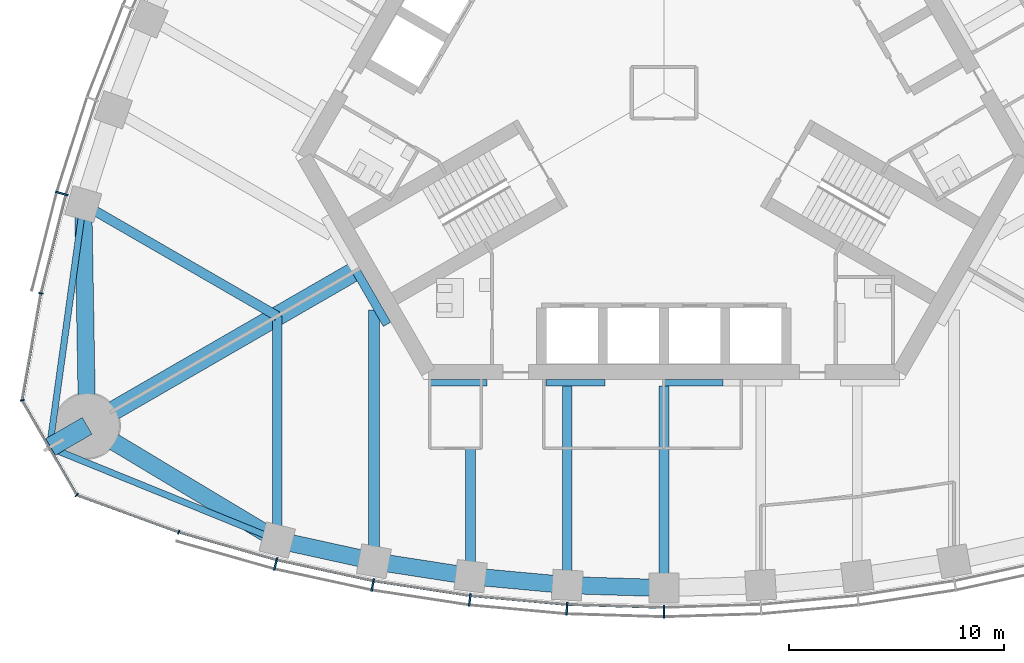
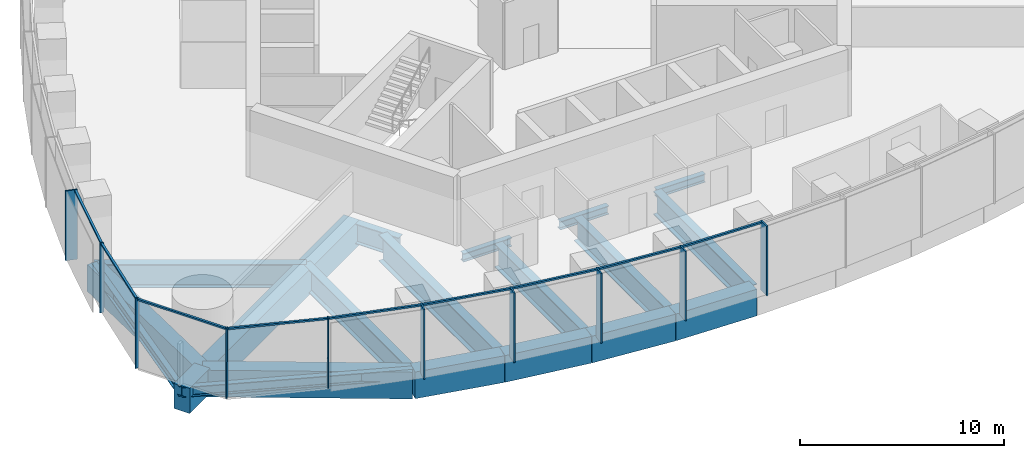
# One storey, part 2 of 14: 20 beams, 19 members, 3 elements without a shape of their own.
"""IFC4 building model written with IfcOpenShell, lengths in metres."""

from ifc_helpers import new_model, si_unit, direction, frame, origin, origin_2d, place, context, subcontext, project, spatial, rectangle, i_section, extrude, material, material_profile, profile_set, type_object, element, aggregate, save


model = new_model("IFC4")

# Units and contexts
model_context = context("Model", 3, precision=1e-05, world=origin(), true_north=direction((0.0, 1.0)))
body_context = subcontext(model_context, "Body", "Model", "MODEL_VIEW")
ifc_project = project(units=[si_unit("LENGTHUNIT", "METRE"), si_unit("AREAUNIT", "SQUARE_METRE"), si_unit("VOLUMEUNIT", "CUBIC_METRE"), si_unit("PLANEANGLEUNIT", "RADIAN"), si_unit("MASSUNIT", "GRAM", prefix="KILO")], contexts=[model_context])

# Site, building, storey
site_placement = place(None, origin())
site = spatial("IfcSite", under=ifc_project, at=site_placement, CompositionType="ELEMENT")
building_placement = place(site_placement, origin())
building = spatial("IfcBuilding", under=site, at=building_placement, Name="Trefoil Bronze Tower", CompositionType="ELEMENT")
storey_placement = place(building_placement, frame((0.0, 0.0, 280.5)))
storey = spatial("IfcBuildingStorey", under=building, at=storey_placement, Name="L64", CompositionType="ELEMENT", Elevation=280.5)

# Curtain wall, members
ifc_material_1 = material(Name="Tinted solar-control glass", Category="glass")
curtain_wall_type_1 = type_object("IfcCurtainWallType", Name="Bronze office curtain wall", PredefinedType="USERDEFINED", material=ifc_material_1)
curtain_wall_1_placement = place(storey_placement, origin())
curtain_wall_1 = element("IfcCurtainWall", 1, at=curtain_wall_1_placement, inside=storey, type_object=curtain_wall_type_1, Name="CW-A L64 F1", ObjectType="CURTAIN WALL", PredefinedType="USERDEFINED")
ifc_material_2 = material(Name="Bronze-finish aluminium", Category="aluminium")
ifc_material_profile_1 = material_profile(ifc_material_2, rectangle(XDim=0.60009765625, YDim=0.080078125, at=origin_2d()), Name="CW-A mullion")
ifc_profile_set_1 = profile_set([ifc_material_profile_1], Name="Bronze-finish aluminium")
member_type_1 = type_object("IfcMemberType", Name="Bronze office curtain wall mullion", PredefinedType="MULLION", material=ifc_profile_set_1)
member_1_placement = place(storey_placement, frame((-18.07275390625, -21.931884765625, 0.0), z_axis=(0.0, 0.0, 1.0), x_axis=(0.242394494031, 0.97017777199, 0.0)))
member_1 = element("IfcMember", 2, at=member_1_placement, type_object=member_type_1, Name="CW-A L64 F1 mullion 2", PredefinedType="MULLION", context=body_context, shape_type="SweptSolid", body=[
    extrude(rectangle(XDim=0.60009765625, YDim=0.080078125, at=origin_2d()), origin(), (0.0, 0.0, 1.0), 4.179931640625),
])
member_2_placement = place(storey_placement, frame((-13.554443359375, -22.911376953125, 0.0), z_axis=(0.0, 0.0, 1.0), x_axis=(0.181667218242, 0.983360067227, 0.0)))
member_2 = element("IfcMember", 3, at=member_2_placement, type_object=member_type_1, Name="CW-A L64 F1 mullion 3", PredefinedType="MULLION", context=body_context, shape_type="SweptSolid", body=[
    extrude(rectangle(XDim=0.60009765625, YDim=0.080078125, at=origin_2d()), origin(), (0.0, 0.0, 1.0), 4.179931640625),
])
member_3_placement = place(storey_placement, frame((-9.036376953125, -23.602783203125, 0.0), z_axis=(0.0, 0.0, 1.0), x_axis=(0.121109330868, 0.992639174109, 0.0)))
member_3 = element("IfcMember", 4, at=member_3_placement, type_object=member_type_1, Name="CW-A L64 F1 mullion 4", PredefinedType="MULLION", context=body_context, shape_type="SweptSolid", body=[
    extrude(rectangle(XDim=0.60009765625, YDim=0.080078125, at=origin_2d()), origin(), (0.0, 0.0, 1.0), 4.179931640625),
])
member_4_placement = place(storey_placement, frame((-4.51806640625, -24.014892578125, 0.0), z_axis=(0.0, 0.0, 1.0), x_axis=(0.060554040199, 0.998164920349, 0.0)))
member_4 = element("IfcMember", 5, at=member_4_placement, type_object=member_type_1, Name="CW-A L64 F1 mullion 5", PredefinedType="MULLION", context=body_context, shape_type="SweptSolid", body=[
    extrude(rectangle(XDim=0.60009765625, YDim=0.080078125, at=origin_2d()), origin(), (0.0, 0.0, 1.0), 4.179931640625),
])
member_5_placement = place(storey_placement, frame((0.0, -24.151611328125, 0.0), z_axis=(0.0, 0.0, 1.0), x_axis=(0.0, 1.0, 0.0)))
member_5 = element("IfcMember", 6, at=member_5_placement, type_object=member_type_1, Name="CW-A L64 F1 mullion 6", PredefinedType="MULLION", context=body_context, shape_type="SweptSolid", body=[
    extrude(rectangle(XDim=0.60009765625, YDim=0.080078125, at=origin_2d()), origin(), (0.0, 0.0, 1.0), 4.179931640625),
])

# Curtain wall, member
curtain_wall_2_placement = place(storey_placement, origin())
curtain_wall_2 = element("IfcCurtainWall", 7, at=curtain_wall_2_placement, inside=storey, type_object=curtain_wall_type_1, Name="CW-A L64 F3", ObjectType="CURTAIN WALL", PredefinedType="USERDEFINED")
member_6_placement = place(storey_placement, frame((-28.02978515625, -4.685546875, 0.0), z_axis=(0.0, 0.0, 1.0), x_axis=(0.961395843746, -0.275169096426, 0.0)))
member_6 = element("IfcMember", 8, at=member_6_placement, type_object=member_type_1, Name="CW-A L64 F3 mullion 10", PredefinedType="MULLION", context=body_context, shape_type="SweptSolid", body=[
    extrude(rectangle(XDim=0.60009765625, YDim=0.080078125, at=origin_2d()), origin(), (0.0, 0.0, 1.0), 4.179931640625),
])

# Member
ifc_material_3 = material(Name="Bronze-finish aluminium", Category="aluminium")
ifc_material_profile_2 = material_profile(ifc_material_3, rectangle(XDim=0.1201171875, YDim=0.10009765625, at=origin_2d()), Name="CW-A transom")
ifc_profile_set_2 = profile_set([ifc_material_profile_2], Name="Bronze-finish aluminium")
member_type_2 = type_object("IfcMemberType", Name="Bronze office curtain wall transom", PredefinedType="USERDEFINED", material=ifc_profile_set_2)
member_7_placement = place(storey_placement, frame((-22.537109375, -20.458740234375, 4.1298828125), z_axis=(0.962102611578, -0.272687668944, 0.0), x_axis=(0.272687668944, 0.962102611578, 0.0)))
member_7 = element("IfcMember", 9, at=member_7_placement, type_object=member_type_2, Name="CW-A L64 F1 transom 1", ObjectType="TRANSOM", PredefinedType="USERDEFINED", context=body_context, shape_type="SweptSolid", body=[
    extrude(rectangle(XDim=0.1201171875, YDim=0.10009765625, at=origin_2d()), origin(), (0.0, 0.0, 1.0), 4.6474609375),
])

member_8_placement = place(storey_placement, frame((-17.982177734375, -21.7470703125, 4.1298828125), z_axis=(0.977303780028, -0.211842681117, 0.0), x_axis=(0.211842681117, 0.977303780028, 0.0)))
member_8 = element("IfcMember", 10, at=member_8_placement, type_object=member_type_2, Name="CW-A L64 F1 transom 2", ObjectType="TRANSOM", PredefinedType="USERDEFINED", context=body_context, shape_type="SweptSolid", body=[
    extrude(rectangle(XDim=0.1201171875, YDim=0.10009765625, at=origin_2d()), origin(), (0.0, 0.0, 1.0), 4.524658203125),
])

member_9_placement = place(storey_placement, frame((-13.4755859375, -22.72119140625, 4.1298828125), z_axis=(0.988485016014, -0.151318779787, 0.0), x_axis=(0.151318779787, 0.988485016014, 0.0)))
member_9 = element("IfcMember", 11, at=member_9_placement, type_object=member_type_2, Name="CW-A L64 F1 transom 3", ObjectType="TRANSOM", PredefinedType="USERDEFINED", context=body_context, shape_type="SweptSolid", body=[
    extrude(rectangle(XDim=0.1201171875, YDim=0.10009765625, at=origin_2d()), origin(), (0.0, 0.0, 1.0), 4.472412109375),
])

member_10_placement = place(storey_placement, frame((-8.96923828125, -23.408203125, 4.1298828125), z_axis=(0.995868373079, -0.090808499059, 0.0), x_axis=(0.090808499059, 0.995868373079, 0.0)))
member_10 = element("IfcMember", 12, at=member_10_placement, type_object=member_type_2, Name="CW-A L64 F1 transom 4", ObjectType="TRANSOM", PredefinedType="USERDEFINED", context=body_context, shape_type="SweptSolid", body=[
    extrude(rectangle(XDim=0.1201171875, YDim=0.10009765625, at=origin_2d()), origin(), (0.0, 0.0, 1.0), 4.438720703125),
])

member_11_placement = place(storey_placement, frame((-4.463134765625, -23.81640625, 4.1298828125), z_axis=(0.99954057115, -0.030309183848, 0.0), x_axis=(0.030309183848, 0.99954057115, 0.0)))
member_11 = element("IfcMember", 13, at=member_11_placement, type_object=member_type_2, Name="CW-A L64 F1 transom 5", ObjectType="TRANSOM", PredefinedType="USERDEFINED", context=body_context, shape_type="SweptSolid", body=[
    extrude(rectangle(XDim=0.1201171875, YDim=0.10009765625, at=origin_2d()), origin(), (0.0, 0.0, 1.0), 4.422119140625),
])

aggregate(curtain_wall_1, [member_1, member_2, member_3, member_4, member_5, member_7, member_8, member_9, member_10, member_11])

member_12_placement = place(storey_placement, frame((-27.84814453125, -4.782470703125, 4.1298828125), z_axis=(-0.244908148095, -0.969546285123, 0.0), x_axis=(0.969546285123, -0.244908148095, 0.0)))
member_12 = element("IfcMember", 14, at=member_12_placement, type_object=member_type_2, Name="CW-A L64 F3 transom 10", ObjectType="TRANSOM", PredefinedType="USERDEFINED", context=body_context, shape_type="SweptSolid", body=[
    extrude(rectangle(XDim=0.1201171875, YDim=0.10009765625, at=origin_2d()), origin(), (0.0, 0.0, 1.0), 4.6474609375),
])

aggregate(curtain_wall_2, [member_6, member_12])

# Curtain wall, members
ifc_material_4 = material(Name="Tinted solar-control glass", Category="glass")
curtain_wall_type_2 = type_object("IfcCurtainWallType", Name="Bronze rounded corner curtain wall", PredefinedType="USERDEFINED", material=ifc_material_4)
curtain_wall_3_placement = place(storey_placement, origin())
curtain_wall_3 = element("IfcCurtainWall", 15, at=curtain_wall_3_placement, inside=storey, type_object=curtain_wall_type_2, Name="CW-B L64 K3", ObjectType="CURTAIN WALL", PredefinedType="USERDEFINED")
ifc_material_5 = material(Name="Bronze-finish aluminium", Category="aluminium")
ifc_material_profile_3 = material_profile(ifc_material_5, rectangle(XDim=0.199951171875, YDim=0.06005859375, at=origin_2d()), Name="CW-B mullion")
ifc_profile_set_3 = profile_set([ifc_material_profile_3], Name="Bronze-finish aluminium")
member_type_3 = type_object("IfcMemberType", Name="Bronze rounded corner curtain wall mullion", PredefinedType="MULLION", material=ifc_profile_set_3)
member_13_placement = place(storey_placement, frame((-28.99755859375, -9.334228515625, 0.0), z_axis=(0.0, 0.0, 1.0), x_axis=(0.984807753012, -0.173648177667, 0.0)))
member_13 = element("IfcMember", 16, at=member_13_placement, type_object=member_type_3, Name="CW-B L64 K3 mullion 1", PredefinedType="MULLION", context=body_context, shape_type="SweptSolid", body=[
    extrude(rectangle(XDim=0.199951171875, YDim=0.06005859375, at=origin_2d()), origin(), (0.0, 0.0, 1.0), 4.179931640625),
])
member_14_placement = place(storey_placement, frame((-29.86865234375, -14.30908203125, 0.0), z_axis=(0.0, 0.0, 1.0), x_axis=(0.984807753012, 0.173648177667, 0.0)))
member_14 = element("IfcMember", 17, at=member_14_placement, type_object=member_type_3, Name="CW-B L64 K3 mullion 2", PredefinedType="MULLION", context=body_context, shape_type="SweptSolid", body=[
    extrude(rectangle(XDim=0.199951171875, YDim=0.06005859375, at=origin_2d()), origin(), (0.0, 0.0, 1.0), 4.179931640625),
])
member_15_placement = place(storey_placement, frame((-27.326416015625, -18.712646484375, 0.0), z_axis=(0.0, 0.0, 1.0), x_axis=(0.642787609687, 0.766044443119, 0.0)))
member_15 = element("IfcMember", 18, at=member_15_placement, type_object=member_type_3, Name="CW-B L64 K3 mullion 3", PredefinedType="MULLION", context=body_context, shape_type="SweptSolid", body=[
    extrude(rectangle(XDim=0.199951171875, YDim=0.06005859375, at=origin_2d()), origin(), (0.0, 0.0, 1.0), 4.179931640625),
])
member_16_placement = place(storey_placement, frame((-22.58251953125, -20.445556640625, 0.0), z_axis=(0.0, 0.0, 1.0), x_axis=(0.342020143326, 0.939692620786, 0.0)))
member_16 = element("IfcMember", 19, at=member_16_placement, type_object=member_type_3, Name="CW-B L64 K3 mullion 4", PredefinedType="MULLION", context=body_context, shape_type="SweptSolid", body=[
    extrude(rectangle(XDim=0.199951171875, YDim=0.06005859375, at=origin_2d()), origin(), (0.0, 0.0, 1.0), 4.179931640625),
])
ifc_material_6 = material(Name="Bronze-finish aluminium", Category="aluminium")
ifc_material_profile_4 = material_profile(ifc_material_6, rectangle(XDim=0.1201171875, YDim=0.10009765625, at=origin_2d()), Name="CW-B transom")
ifc_profile_set_4 = profile_set([ifc_material_profile_4], Name="Bronze-finish aluminium")
member_type_4 = type_object("IfcMemberType", Name="Bronze rounded corner curtain wall transom", PredefinedType="USERDEFINED", material=ifc_profile_set_4)
member_17_placement = place(storey_placement, frame((-29.0029296875, -9.36376953125, 4.1298828125), z_axis=(-0.173633591509, -0.984810324834, 0.0), x_axis=(0.984810324834, -0.173633591509, 0.0)))
member_17 = element("IfcMember", 20, at=member_17_placement, type_object=member_type_4, Name="CW-B L64 K3 transom 1", ObjectType="TRANSOM", PredefinedType="USERDEFINED", context=body_context, shape_type="SweptSolid", body=[
    extrude(rectangle(XDim=0.1201171875, YDim=0.10009765625, at=origin_2d()), origin(), (0.0, 0.0, 1.0), 4.956298828125),
])
member_18_placement = place(storey_placement, frame((-29.841796875, -14.36767578125, 4.1298828125), z_axis=(0.499985403706, -0.866033830794, 0.0), x_axis=(0.866033830794, 0.499985403706, 0.0)))
member_18 = element("IfcMember", 21, at=member_18_placement, type_object=member_type_4, Name="CW-B L64 K3 transom 2", ObjectType="TRANSOM", PredefinedType="USERDEFINED", context=body_context, shape_type="SweptSolid", body=[
    extrude(rectangle(XDim=0.1201171875, YDim=0.10009765625, at=origin_2d()), origin(), (0.0, 0.0, 1.0), 4.956298828125),
])
member_19_placement = place(storey_placement, frame((-27.26806640625, -18.740234375, 4.1298828125), z_axis=(0.93969990549, -0.342000128103, 0.0), x_axis=(0.342000128103, 0.93969990549, 0.0)))
member_19 = element("IfcMember", 22, at=member_19_placement, type_object=member_type_4, Name="CW-B L64 K3 transom 3", ObjectType="TRANSOM", PredefinedType="USERDEFINED", context=body_context, shape_type="SweptSolid", body=[
    extrude(rectangle(XDim=0.1201171875, YDim=0.10009765625, at=origin_2d()), origin(), (0.0, 0.0, 1.0), 4.956298828125),
])
aggregate(curtain_wall_3, [member_13, member_14, member_15, member_16, member_17, member_18, member_19])

# Beams
ifc_material_7 = material(Name="Steel C355", Category="steel")
ifc_material_profile_5 = material_profile(ifc_material_7, i_section(OverallWidth=0.300048828125, OverallDepth=0.5, WebThickness=0.014404296875, FlangeThickness=0.028076171875, FilletRadius=0.027099609375, at=origin_2d()), Name="HEB 500")
ifc_profile_set_5 = profile_set([ifc_material_profile_5], Name="Steel C355")
beam_type_1 = type_object("IfcBeamType", Name="Core seat beam HEB 500", PredefinedType="BEAM", material=ifc_profile_set_5)
for number, where, z_axis, x_axis, name in (
    (23, (-10.9697265625, -13.5, -0.449951171875), (1.0, 0.0, 0.0), (0.0, 1.0, 0.0), "Core seat beam F1/-2 L64"),
    (24, (-5.48486328125, -13.5, -0.449951171875), (1.0, 0.0, 0.0), (0.0, 1.0, 0.0), "Core seat beam F1/-1 L64"),
    (25, (0.0, -13.5, -0.449951171875), (1.0, 0.0, 0.0), (0.0, 1.0, 0.0), "Core seat beam F1/+0 L64"),
):
    element("IfcBeam", number, at=place(storey_placement, frame(where, z_axis=z_axis, x_axis=x_axis)), inside=storey, type_object=beam_type_1, Name=name, PredefinedType="BEAM", context=body_context, shape_type="SweptSolid", body=[
        extrude(i_section(OverallWidth=0.300048828125, OverallDepth=0.5, WebThickness=0.014404296875, FlangeThickness=0.028076171875, FilletRadius=0.027099609375, at=origin_2d()), origin(), (0.0, 0.0, 1.0), 2.742431640625),
    ])
ifc_material_8 = material(Name="Steel C355", Category="steel")
ifc_material_profile_6 = material_profile(ifc_material_8, i_section(OverallWidth=0.39990234375, OverallDepth=1.199951171875, WebThickness=0.02001953125, FlangeThickness=0.0400390625, FilletRadius=0.010009765625, at=origin_2d()), Name="WPG 1200")
ifc_profile_set_6 = profile_set([ifc_material_profile_6], Name="Steel C355")
beam_type_2 = type_object("IfcBeamType", Name="Core seat beam WPG 1200", PredefinedType="BEAM", material=ifc_profile_set_6)
beam_1_placement = place(storey_placement, frame((-14.332763671875, -8.27490234375, -0.800048828125), z_axis=(0.499995765644, -0.866027848477, 0.0), x_axis=(0.866027848477, 0.499995765644, 0.0)))
element("IfcBeam", 26, at=beam_1_placement, inside=storey, type_object=beam_type_2, Name="Core seat beam F1/-3 L64", PredefinedType="BEAM", context=body_context, shape_type="SweptSolid", body=[
    extrude(i_section(OverallWidth=0.39990234375, OverallDepth=1.199951171875, WebThickness=0.02001953125, FlangeThickness=0.0400390625, FilletRadius=0.010009765625, at=origin_2d()), origin(), (0.0, 0.0, 1.0), 2.88671875),
])
ifc_material_9 = material(Name="Concrete B80", Category="concrete")
ifc_material_profile_7 = material_profile(ifc_material_9, rectangle(XDim=0.89990234375, YDim=1.5, at=origin_2d()), Name="RC 900x1500")
ifc_profile_set_7 = profile_set([ifc_material_profile_7], Name="Concrete B80")
beam_type_3 = type_object("IfcBeamType", Name="Corner cantilever RC 900x1500", PredefinedType="BEAM", material=ifc_profile_set_7)
beam_2_placement = place(storey_placement, frame((-26.8466796875, -15.5, -0.949951171875), z_axis=(-0.866010470582, -0.500025864173, 0.0), x_axis=(0.500025864173, -0.866010470582, 0.0)))
element("IfcBeam", 27, at=beam_2_placement, inside=storey, type_object=beam_type_3, Name="Corner cantilever K3 L64", PredefinedType="BEAM", context=body_context, shape_type="SweptSolid", body=[
    extrude(rectangle(XDim=0.89990234375, YDim=1.5, at=origin_2d()), origin(), (0.0, 0.0, 1.0), 2.02001953125),
])
ifc_material_10 = material(Name="Steel C355", Category="steel")
ifc_material_profile_8 = material_profile(ifc_material_10, i_section(OverallWidth=0.300048828125, OverallDepth=0.60009765625, WebThickness=0.015380859375, FlangeThickness=0.030029296875, FilletRadius=0.027099609375, at=origin_2d()), Name="HEB 600")
ifc_profile_set_8 = profile_set([ifc_material_profile_8], Name="Steel C355")
beam_type_4 = type_object("IfcBeamType", Name="Corner edge beam HEB 600", PredefinedType="BEAM", material=ifc_profile_set_8)
beam_3_placement = place(storey_placement, frame((-18.0, -20.816162109375, -0.5), z_axis=(-0.926419351914, 0.376493272714, 0.0), x_axis=(-0.376493272714, -0.926419351914, 0.0)))
element("IfcBeam", 28, at=beam_3_placement, inside=storey, type_object=beam_type_4, Name="Corner edge beam F1B L64", PredefinedType="BEAM", context=body_context, shape_type="SweptSolid", body=[
    extrude(i_section(OverallWidth=0.300048828125, OverallDepth=0.60009765625, WebThickness=0.015380859375, FlangeThickness=0.030029296875, FilletRadius=0.027099609375, at=origin_2d()), origin(), (0.0, 0.0, 1.0), 11.4375),
])
beam_4_placement = place(storey_placement, frame((-27.02734375, -5.180419921875, -0.5), z_axis=(-0.137143714313, -0.990551160529, 0.0), x_axis=(0.990551160529, -0.137143714313, 0.0)))
element("IfcBeam", 29, at=beam_4_placement, inside=storey, type_object=beam_type_4, Name="Corner edge beam F3A L64", PredefinedType="BEAM", context=body_context, shape_type="SweptSolid", body=[
    extrude(i_section(OverallWidth=0.300048828125, OverallDepth=0.60009765625, WebThickness=0.015380859375, FlangeThickness=0.030029296875, FilletRadius=0.027099609375, at=origin_2d()), origin(), (0.0, 0.0, 1.0), 11.437744140625),
])
ifc_material_11 = material(Name="Concrete B80", Category="concrete")
ifc_material_profile_9 = material_profile(ifc_material_11, rectangle(XDim=0.89990234375, YDim=1.5, at=origin_2d()), Name="RC 900x1500")
ifc_profile_set_9 = profile_set([ifc_material_profile_9], Name="Concrete B80")
beam_type_5 = type_object("IfcBeamType", Name="Corner girder RC 900x1500", PredefinedType="BEAM", material=ifc_profile_set_9)
beam_5_placement = place(storey_placement, frame((-14.159423828125, -8.175048828125, -0.949951171875), z_axis=(-0.866026568746, -0.499997982221, 0.0), x_axis=(0.499997982221, -0.866026568746, 0.0)))
element("IfcBeam", 30, at=beam_5_placement, inside=storey, type_object=beam_type_5, Name="Corner girder K3 L64", PredefinedType="BEAM", context=body_context, shape_type="SweptSolid", body=[
    extrude(rectangle(XDim=0.89990234375, YDim=1.5, at=origin_2d()), origin(), (0.0, 0.0, 1.0), 14.64990234375),
])
ifc_material_12 = material(Name="Concrete B80", Category="concrete")
ifc_material_profile_10 = material_profile(ifc_material_12, rectangle(XDim=0.800048828125, YDim=1.60009765625, at=origin_2d()), Name="RC 800x1600")
ifc_profile_set_10 = profile_set([ifc_material_profile_10], Name="Concrete B80")
beam_type_6 = type_object("IfcBeamType", Name="End spandrel beam RC 800x1600", PredefinedType="SPANDREL", material=ifc_profile_set_10)
for number, where, z_axis, x_axis, name in (
    (31, (-26.8466796875, -15.5, -1.0), (0.857144173035, -0.515076563855, 0.0), (0.515076563855, 0.857144173035, 0.0), "Spandrel F1.1 L64"),
    (32, (-27.02734375, -5.180419921875, -1.0), (0.017504237714, -0.999846789094, 0.0), (0.999846789094, 0.017504237714, 0.0), "Spandrel F3.10 L64"),
):
    element("IfcBeam", number, at=place(storey_placement, frame(where, z_axis=z_axis, x_axis=x_axis)), inside=storey, type_object=beam_type_6, Name=name, PredefinedType="SPANDREL", context=body_context, shape_type="SweptSolid", body=[
        extrude(rectangle(XDim=0.800048828125, YDim=1.60009765625, at=origin_2d()), origin(), (0.0, 0.0, 1.0), 10.321044921875),
    ])
ifc_material_13 = material(Name="Steel C355", Category="steel")
ifc_material_profile_11 = material_profile(ifc_material_13, i_section(OverallWidth=0.449951171875, OverallDepth=1.39990234375, WebThickness=0.02294921875, FlangeThickness=0.044921875, FilletRadius=0.011962890625, at=origin_2d()), Name="WPG 1400")
ifc_profile_set_11 = profile_set([ifc_material_profile_11], Name="Steel C355")
beam_type_7 = type_object("IfcBeamType", Name="Floor beam WPG 1400", PredefinedType="BEAM", material=ifc_profile_set_11)
beam_6_placement = place(storey_placement, frame((-18.0, -20.816162109375, -0.89990234375), z_axis=(0.0, 1.0, 0.0), x_axis=(-1.0, 0.0, 0.0)))
element("IfcBeam", 33, at=beam_6_placement, inside=storey, type_object=beam_type_7, Name="Floor beam F1/-4 L64", PredefinedType="BEAM", context=body_context, shape_type="SweptSolid", body=[
    extrude(i_section(OverallWidth=0.449951171875, OverallDepth=1.39990234375, WebThickness=0.02294921875, FlangeThickness=0.044921875, FilletRadius=0.011962890625, at=origin_2d()), origin(), (0.0, 0.0, 1.0), 10.423828125),
])
beam_7_placement = place(storey_placement, frame((-9.0, -22.499267578125, -0.89990234375), z_axis=(0.0, 1.0, 0.0), x_axis=(-1.0, 0.0, 0.0)))
element("IfcBeam", 34, at=beam_7_placement, inside=storey, type_object=beam_type_7, Name="Floor beam F1/-2 L64", PredefinedType="BEAM", context=body_context, shape_type="SweptSolid", body=[
    extrude(i_section(OverallWidth=0.449951171875, OverallDepth=1.39990234375, WebThickness=0.02294921875, FlangeThickness=0.044921875, FilletRadius=0.011962890625, at=origin_2d()), origin(), (0.0, 0.0, 1.0), 8.849365234375),
])
beam_8_placement = place(storey_placement, frame((-4.5, -22.913818359375, -0.89990234375), z_axis=(0.0, 1.0, 0.0), x_axis=(-1.0, 0.0, 0.0)))
element("IfcBeam", 35, at=beam_8_placement, inside=storey, type_object=beam_type_7, Name="Floor beam F1/-1 L64", PredefinedType="BEAM", context=body_context, shape_type="SweptSolid", body=[
    extrude(i_section(OverallWidth=0.449951171875, OverallDepth=1.39990234375, WebThickness=0.02294921875, FlangeThickness=0.044921875, FilletRadius=0.011962890625, at=origin_2d()), origin(), (0.0, 0.0, 1.0), 9.263916015625),
])
beam_9_placement = place(storey_placement, frame((0.0, -23.051513671875, -0.89990234375), z_axis=(0.0, 1.0, 0.0), x_axis=(-1.0, 0.0, 0.0)))
element("IfcBeam", 36, at=beam_9_placement, inside=storey, type_object=beam_type_7, Name="Floor beam F1/+0 L64", PredefinedType="BEAM", context=body_context, shape_type="SweptSolid", body=[
    extrude(i_section(OverallWidth=0.449951171875, OverallDepth=1.39990234375, WebThickness=0.02294921875, FlangeThickness=0.044921875, FilletRadius=0.011962890625, at=origin_2d()), origin(), (0.0, 0.0, 1.0), 9.401611328125),
])
beam_10_placement = place(storey_placement, frame((-27.02734375, -5.180419921875, -0.89990234375), z_axis=(0.866026453994, -0.499998180979, 0.0), x_axis=(0.499998180979, 0.866026453994, 0.0)))
element("IfcBeam", 37, at=beam_10_placement, inside=storey, type_object=beam_type_7, Name="Floor beam F3/+4 L64", PredefinedType="BEAM", context=body_context, shape_type="SweptSolid", body=[
    extrude(i_section(OverallWidth=0.449951171875, OverallDepth=1.39990234375, WebThickness=0.02294921875, FlangeThickness=0.044921875, FilletRadius=0.011962890625, at=origin_2d()), origin(), (0.0, 0.0, 1.0), 10.423828125),
])
ifc_material_14 = material(Name="Steel C355", Category="steel")
ifc_material_profile_12 = material_profile(ifc_material_14, i_section(OverallWidth=0.5, OverallDepth=1.60009765625, WebThickness=0.02587890625, FlangeThickness=0.050048828125, FilletRadius=0.011962890625, at=origin_2d()), Name="WPG 1600")
ifc_profile_set_12 = profile_set([ifc_material_profile_12], Name="Steel C355")
beam_type_8 = type_object("IfcBeamType", Name="Floor beam WPG 1600", PredefinedType="BEAM", material=ifc_profile_set_12)
beam_11_placement = place(storey_placement, frame((-13.5, -21.802734375, -1.0), z_axis=(0.0, 1.0, 0.0), x_axis=(-1.0, 0.0, 0.0)))
element("IfcBeam", 38, at=beam_11_placement, inside=storey, type_object=beam_type_8, Name="Floor beam F1/-3 L64", PredefinedType="BEAM", context=body_context, shape_type="SweptSolid", body=[
    extrude(i_section(OverallWidth=0.5, OverallDepth=1.60009765625, WebThickness=0.02587890625, FlangeThickness=0.050048828125, FilletRadius=0.011962890625, at=origin_2d()), origin(), (0.0, 0.0, 1.0), 11.685302734375),
])
ifc_material_15 = material(Name="Concrete B80", Category="concrete")
ifc_material_profile_13 = material_profile(ifc_material_15, rectangle(XDim=0.800048828125, YDim=1.60009765625, at=origin_2d()), Name="RC 800x1600")
ifc_profile_set_13 = profile_set([ifc_material_profile_13], Name="Concrete B80")
beam_type_9 = type_object("IfcBeamType", Name="Spandrel beam RC 800x1600", PredefinedType="SPANDREL", material=ifc_profile_set_13)
beam_12_placement = place(storey_placement, frame((-18.0, -20.816162109375, -1.0), z_axis=(0.976800342355, -0.214152028182, 0.0), x_axis=(0.214152028182, 0.976800342355, 0.0)))
element("IfcBeam", 39, at=beam_12_placement, inside=storey, type_object=beam_type_9, Name="Spandrel F1.2 L64", PredefinedType="SPANDREL", context=body_context, shape_type="SweptSolid", body=[
    extrude(rectangle(XDim=0.800048828125, YDim=1.60009765625, at=origin_2d()), origin(), (0.0, 0.0, 1.0), 4.60693359375),
])
beam_13_placement = place(storey_placement, frame((-13.5, -21.802734375, -1.0), z_axis=(0.988231820946, -0.152963616816, 0.0), x_axis=(0.152963616816, 0.988231820946, 0.0)))
element("IfcBeam", 40, at=beam_13_placement, inside=storey, type_object=beam_type_9, Name="Spandrel F1.3 L64", PredefinedType="SPANDREL", context=body_context, shape_type="SweptSolid", body=[
    extrude(rectangle(XDim=0.800048828125, YDim=1.60009765625, at=origin_2d()), origin(), (0.0, 0.0, 1.0), 4.553466796875),
])
beam_14_placement = place(storey_placement, frame((-9.0, -22.499267578125, -1.0), z_axis=(0.995783550481, -0.091733966402, 0.0), x_axis=(0.091733966402, 0.995783550481, 0.0)))
element("IfcBeam", 41, at=beam_14_placement, inside=storey, type_object=beam_type_9, Name="Spandrel F1.4 L64", PredefinedType="SPANDREL", context=body_context, shape_type="SweptSolid", body=[
    extrude(rectangle(XDim=0.800048828125, YDim=1.60009765625, at=origin_2d()), origin(), (0.0, 0.0, 1.0), 4.51904296875),
])
beam_15_placement = place(storey_placement, frame((-4.5, -22.913818359375, -1.0), z_axis=(0.999532180362, -0.03058464354, 0.0), x_axis=(0.03058464354, 0.999532180362, 0.0)))
element("IfcBeam", 42, at=beam_15_placement, inside=storey, type_object=beam_type_9, Name="Spandrel F1.5 L64", PredefinedType="SPANDREL", context=body_context, shape_type="SweptSolid", body=[
    extrude(rectangle(XDim=0.800048828125, YDim=1.60009765625, at=origin_2d()), origin(), (0.0, 0.0, 1.0), 4.502197265625),
])

save(model, "model.ifc")
